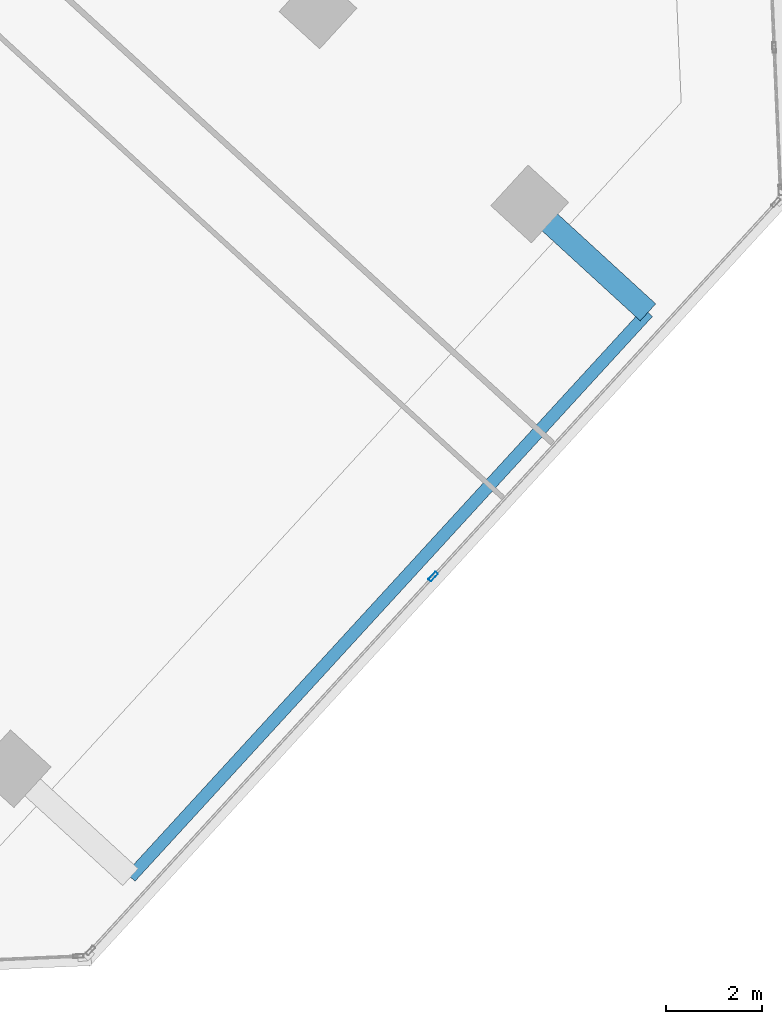
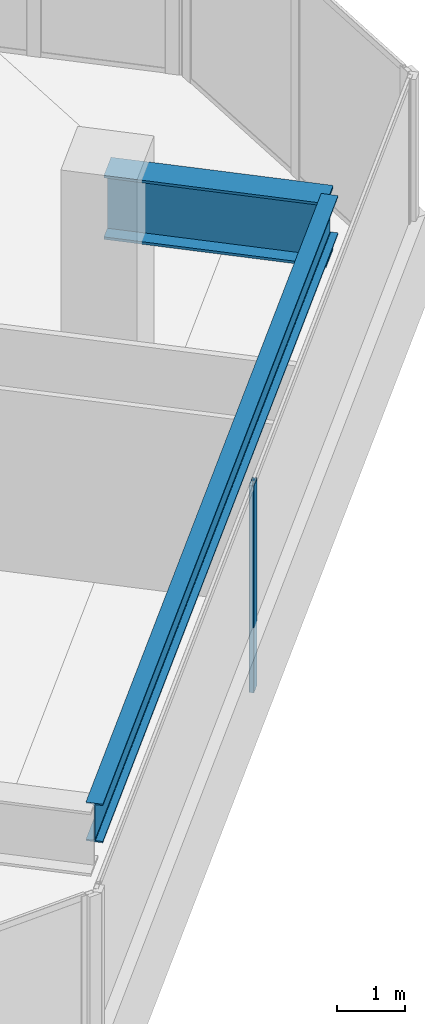
# One storey, part 7 of 18: 2 beams, 1 member, 1 element without a shape of its own.
"""IFC4 building model written with IfcOpenShell, lengths in metres."""

from ifc_helpers import new_model, si_unit, direction, frame, origin, origin_2d, place, context, subcontext, project, spatial, hollow_rectangle, i_section, extrude, source, transform, mapped, material, material_profile, profile_set, type_object, element, aggregate, save


model = new_model("IFC4")

# Units and contexts
model_context = context("Model", 3, precision=1e-05, world=origin(), true_north=direction((0.0, 1.0)))
body_context = subcontext(model_context, "Body", "Model", "MODEL_VIEW")
ifc_project = project(units=[si_unit("LENGTHUNIT", "METRE"), si_unit("AREAUNIT", "SQUARE_METRE"), si_unit("VOLUMEUNIT", "CUBIC_METRE"), si_unit("PLANEANGLEUNIT", "RADIAN"), si_unit("MASSUNIT", "GRAM", prefix="KILO")], contexts=[model_context])

# Site, building, storey
site_placement = place(None, origin())
site = spatial("IfcSite", under=ifc_project, at=site_placement, CompositionType="ELEMENT")
building_placement = place(site_placement, origin())
building = spatial("IfcBuilding", under=site, at=building_placement, Name="Torre Montelarca", CompositionType="ELEMENT")
storey_placement = place(building_placement, frame((0.0, 0.0, 233.199951171875)))
storey = spatial("IfcBuildingStorey", under=building, at=storey_placement, Name="L52", CompositionType="ELEMENT", Elevation=233.199951171875)

# Beams
ifc_material_1 = material(Name="Steel ASTM A572 Grade 50", Category="steel")
ifc_material_profile_1 = material_profile(ifc_material_1, i_section(OverallWidth=0.47998046875, OverallDepth=1.14990234375, WebThickness=0.02197265625, FlangeThickness=0.044921875, at=origin_2d()), Name="PG1150X480X22X45", Category="steel")
ifc_profile_set_1 = profile_set([ifc_material_profile_1], Name="Steel ASTM A572 Grade 50")
beam_type_1 = type_object("IfcBeamType", Name="BM-CG-PG1400-EXT", PredefinedType="USERDEFINED", material=ifc_profile_set_1)
shared_shape_1 = source(origin(), body_context, "Body", "SweptSolid", [
    extrude(i_section(OverallWidth=0.47998046875, OverallDepth=1.14990234375, WebThickness=0.02197265625, FlangeThickness=0.044921875, at=origin_2d()), origin(), (0.0, 0.0, 1.0), 3.35009765625),
])
beam_1_placement = place(storey_placement, frame((42.018798828125, 24.048583984375, 3.385009765625), z_axis=(0.737296302726, -0.675569509367, 0.0), x_axis=(0.675569509367, 0.737296302726, 0.0)))
element("IfcBeam", 1, at=beam_1_placement, inside=storey, type_object=beam_type_1, Name="L52 Sliding Tray Cantilever Girder East Y=40m (FLR)", ObjectType="CANTILEVER GIRDER", PredefinedType="USERDEFINED", context=body_context, shape_type="MappedRepresentation", body=[
    mapped(shared_shape_1, transform((0.0, 0.0, 0.0), scale=1.0)),
])
ifc_material_2 = material(Name="Steel ASTM A992 Grade 50", Category="steel")
ifc_material_profile_2 = material_profile(ifc_material_2, i_section(OverallWidth=0.256103515625, OverallDepth=0.693115234375, WebThickness=0.014404296875, FlangeThickness=0.023681640625, FilletRadius=0.01806640625, at=origin_2d()), Name="W690X170", Category="steel")
ifc_profile_set_2 = profile_set([ifc_material_profile_2], Name="Steel ASTM A992 Grade 50")
beam_type_2 = type_object("IfcBeamType", Name="BM-G-W690-EXT", PredefinedType="BEAM", material=ifc_profile_set_2)
shared_shape_2 = source(origin(), body_context, "Body", "SweptSolid", [
    extrude(i_section(OverallWidth=0.256103515625, OverallDepth=0.693115234375, WebThickness=0.014404296875, FlangeThickness=0.023681640625, FilletRadius=0.01806640625, at=origin_2d()), origin(), (0.0, 0.0, 1.0), 16.0),
])
beam_2_placement = place(storey_placement, frame((33.67919921875, 9.989013671875, 3.614013671875), z_axis=(0.675596099327, 0.737271938008, 0.0), x_axis=(-0.737271938008, 0.675596099327, 0.0)))
element("IfcBeam", 2, at=beam_2_placement, inside=storey, type_object=beam_type_2, Name="L52 Sliding Tray Edge Girder East 24-40m (FLR)", PredefinedType="BEAM", context=body_context, shape_type="MappedRepresentation", body=[
    mapped(shared_shape_2, transform((0.0, 0.0, 0.0), scale=1.0)),
])

# Curtain wall, member
ifc_material_3 = material(Name="Insulated low-E laminated glass", Category="glass")
curtain_wall_type = type_object("IfcCurtainWallType", Name="CW-SYS-Z3", PredefinedType="USERDEFINED", material=ifc_material_3)
curtain_wall_placement = place(storey_placement, origin())
curtain_wall = element("IfcCurtainWall", 3, at=curtain_wall_placement, inside=storey, type_object=curtain_wall_type, Name="L52 Curtain Wall Run CW-T3-L52-E06-B1", ObjectType="UNITISED GLAZING", PredefinedType="USERDEFINED")
ifc_material_4 = material(Name="Anodised aluminium AA 6063-T6", Category="aluminium")
ifc_material_profile_3 = material_profile(ifc_material_4, hollow_rectangle(XDim=0.074951171875, YDim=0.219970703125, WallThickness=0.0048828125, InnerFilletRadius=0.0048828125, OuterFilletRadius=0.010009765625, at=origin_2d()), Name="ALU75X220X5", Category="aluminium")
ifc_profile_set_3 = profile_set([ifc_material_profile_3], Name="Anodised aluminium AA 6063-T6")
member_type = type_object("IfcMemberType", Name="CWM-ALU220", PredefinedType="MULLION", material=ifc_profile_set_3)
shared_shape_3 = source(origin(), body_context, "Body", "SweptSolid", [
    extrude(hollow_rectangle(XDim=0.074951171875, YDim=0.219970703125, WallThickness=0.0048828125, InnerFilletRadius=0.0048828125, OuterFilletRadius=0.010009765625, at=origin_2d()), origin(), (0.0, 0.0, 1.0), 3.719970703125),
])
member_placement = place(storey_placement, frame((40.001708984375, 16.266845703125, 0.0), z_axis=(0.0, 0.0, 1.0), x_axis=(-0.737277670314, 0.675589843659, 0.0)))
member = element("IfcMember", 4, at=member_placement, type_object=member_type, Name="CW mullion 2", PredefinedType="MULLION", context=body_context, shape_type="MappedRepresentation", body=[
    mapped(shared_shape_3, transform((0.0, 0.0, 0.0), scale=1.0)),
])
aggregate(curtain_wall, [member])

save(model, "model.ifc")
